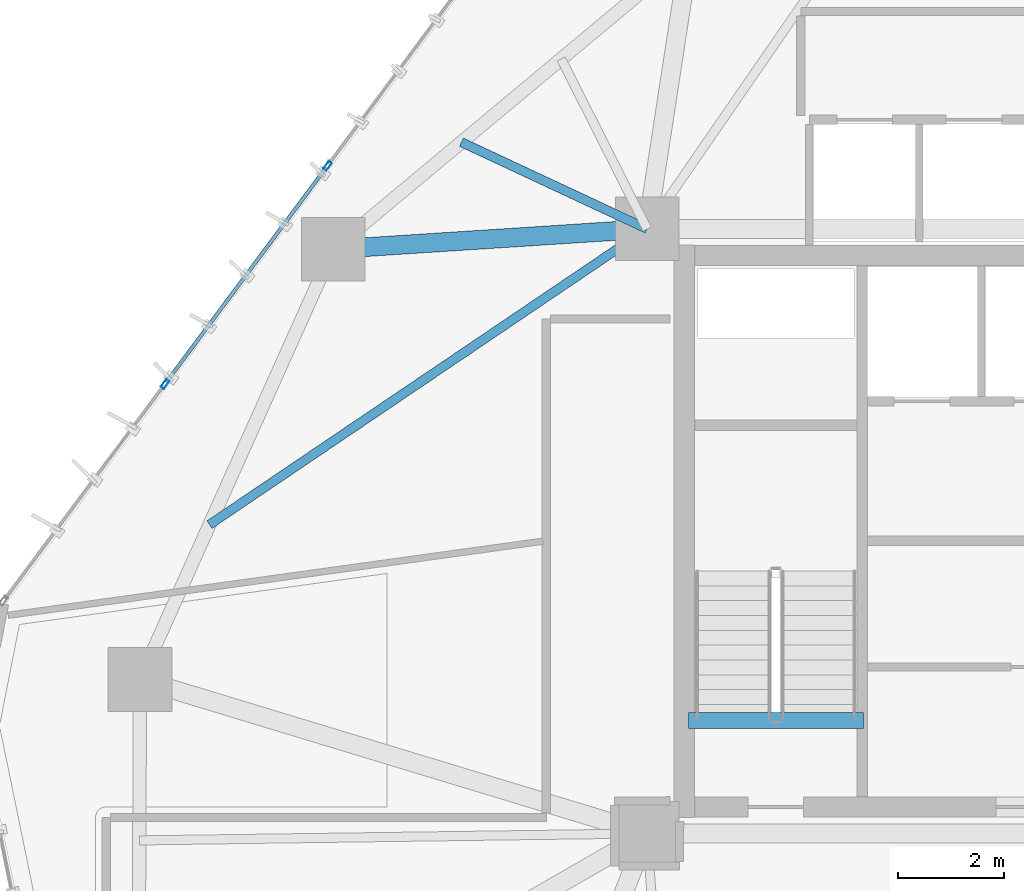
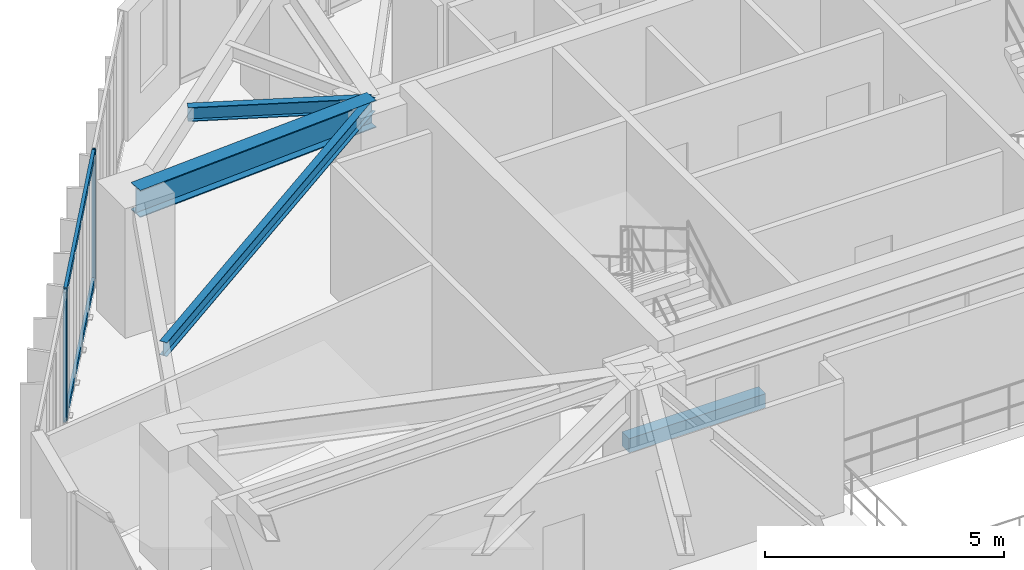
# One storey, part 9 of 23: 4 beams, 4 members, 1 element without a shape of its own.
"""IFC4 building model written with IfcOpenShell, lengths in metres."""

from ifc_helpers import new_model, si_unit, direction, frame, origin, origin_2d, place, context, subcontext, project, spatial, rectangle, hollow_rectangle, i_section, extrude, source, transform, mapped, material, layer, layer_set, material_profile, profile_set, type_object, type_shapes, element, aggregate, save


model = new_model("IFC4")

# Units and contexts
model_context = context("Model", 3, precision=1e-05, world=origin(), true_north=direction((0.0, 1.0)))
body_context = subcontext(model_context, "Body", "Model", "MODEL_VIEW")
ifc_project = project(units=[si_unit("LENGTHUNIT", "METRE"), si_unit("AREAUNIT", "SQUARE_METRE"), si_unit("VOLUMEUNIT", "CUBIC_METRE"), si_unit("PLANEANGLEUNIT", "RADIAN"), si_unit("MASSUNIT", "GRAM", prefix="KILO")], contexts=[model_context])

# Site, building, storey
site_placement = place(None, origin())
site = spatial("IfcSite", under=ifc_project, at=site_placement, CompositionType="ELEMENT")
building_placement = place(site_placement, origin())
building = spatial("IfcBuilding", under=site, at=building_placement, Name="Talar Marvaseh", CompositionType="ELEMENT")
storey_placement = place(building_placement, frame((0.0, 0.0, 118.199951171875)))
storey = spatial("IfcBuildingStorey", under=building, at=storey_placement, Name="L30", CompositionType="ELEMENT", Elevation=118.199951171875)

# Beams
ifc_material_1 = material(Name="Concrete C40/50", Category="concrete")
ifc_material_profile_1 = material_profile(ifc_material_1, rectangle(XDim=0.300048828125, YDim=0.360107421875, at=origin_2d()), Name="RC300x360")
ifc_profile_set_1 = profile_set([ifc_material_profile_1], Name="Concrete C40/50")
beam_type_1 = type_object("IfcBeamType", Name="Concrete Stair Landing Trimmer Beam RC300x360", PredefinedType="SPANDREL", material=ifc_profile_set_1)
beam_1_placement = place(storey_placement, frame((22.780029296875, 27.6298828125, -0.179931640625), z_axis=(-1.0, 0.0, 0.0), x_axis=(0.0, -1.0, 0.0)))
element("IfcBeam", 1, at=beam_1_placement, inside=storey, type_object=beam_type_1, Name="L30 ST-1 Stair Nosing Trimmer Beam", PredefinedType="SPANDREL", context=body_context, shape_type="SweptSolid", body=[
    extrude(rectangle(XDim=0.300048828125, YDim=0.360107421875, at=origin_2d()), origin(), (0.0, 0.0, 1.0), 3.300048828125),
])
ifc_material_2 = material(Name="Steel S355", Category="steel")
ifc_material_profile_2 = material_profile(ifc_material_2, i_section(OverallWidth=0.35498046875, OverallDepth=0.695068359375, WebThickness=0.015380859375, FlangeThickness=0.02490234375, at=origin_2d()), Name="W690x217")
ifc_profile_set_2 = profile_set([ifc_material_profile_2], Name="Steel S355")
beam_type_2 = type_object("IfcBeamType", Name="Zone 2 Radial Floor Girder W690x217", PredefinedType="BEAM", material=ifc_profile_set_2)
beam_2_placement = place(storey_placement, frame((12.780029296875, 36.51708984375, 2.962646484375), z_axis=(0.997915745008, 0.064530348407, 0.0), x_axis=(-0.064530348407, 0.997915745008, 0.0)))
element("IfcBeam", 2, at=beam_2_placement, inside=storey, type_object=beam_type_2, Name="L30 Zone 2 Radial Floor Girder W690x217", PredefinedType="BEAM", context=body_context, shape_type="SweptSolid", body=[
    extrude(i_section(OverallWidth=0.35498046875, OverallDepth=0.695068359375, WebThickness=0.015380859375, FlangeThickness=0.02490234375, at=origin_2d()), origin(), (0.0, 0.0, 1.0), 5.932373046875),
])
ifc_material_profile_3 = material_profile(ifc_material_2, i_section(OverallWidth=0.172119140625, OverallDepth=0.35791015625, WebThickness=0.0078125, FlangeThickness=0.01318359375, at=origin_2d()), Name="W360x57")
ifc_profile_set_3 = profile_set([ifc_material_profile_3], Name="Steel S355")
beam_type_3 = type_object("IfcBeamType", Name="Zone 2 Secondary Floor Joist W360x57", PredefinedType="JOIST", material=ifc_profile_set_3)
beam_3_placement = place(storey_placement, frame((10.44921875, 31.323486328125, 3.131103515625), z_axis=(0.828514577653, 0.55996749425, 0.0), x_axis=(-0.55996749425, 0.828514577653, 0.0)))
element("IfcBeam", 3, at=beam_3_placement, inside=storey, type_object=beam_type_3, Name="L30 Zone 2 Secondary Floor Joist W360x57", PredefinedType="JOIST", context=body_context, shape_type="SweptSolid", body=[
    extrude(i_section(OverallWidth=0.172119140625, OverallDepth=0.35791015625, WebThickness=0.0078125, FlangeThickness=0.01318359375, at=origin_2d()), origin(), (0.0, 0.0, 1.0), 9.95849609375),
])
beam_4_placement = place(storey_placement, frame((15.19970703125, 38.53515625, 3.131103515625), z_axis=(0.906003856895, -0.423269431086, 0.0), x_axis=(0.423269431086, 0.906003856895, 0.0)))
element("IfcBeam", 4, at=beam_4_placement, inside=storey, type_object=beam_type_3, Name="L30 Zone 2 Secondary Floor Joist W360x57", PredefinedType="JOIST", context=body_context, shape_type="SweptSolid", body=[
    extrude(i_section(OverallWidth=0.172119140625, OverallDepth=0.35791015625, WebThickness=0.0078125, FlangeThickness=0.01318359375, at=origin_2d()), origin(), (0.0, 0.0, 1.0), 3.86328125),
])

# Curtain wall, members
ifc_material_3 = material(Name="Architectural Aluminium", Category="aluminium")
ifc_layer = layer(ifc_material_3, 0.199951171875)
ifc_layer_set = layer_set([ifc_layer], Name="Architectural Aluminium")
curtain_wall_type = type_object("IfcCurtainWallType", Name="Unitised Acoustic Library Curtain Wall Z2", PredefinedType="NOTDEFINED", material=ifc_layer_set)
curtain_wall_placement = place(storey_placement, origin())
curtain_wall = element("IfcCurtainWall", 5, at=curtain_wall_placement, inside=storey, type_object=curtain_wall_type, Name="L30 Unitised Acoustic Library Curtain Wall Z2", PredefinedType="NOTDEFINED")
ifc_material_profile_4 = material_profile(ifc_material_3, hollow_rectangle(XDim=0.074951171875, YDim=0.179931640625, WallThickness=0.0048828125, at=origin_2d()), Name="RHS180x75x5")
ifc_profile_set_4 = profile_set([ifc_material_profile_4], Name="Architectural Aluminium")
member_type_1 = type_object("IfcMemberType", Name="Unitised Curtain Wall Standard Mullion RHS180x75x5", PredefinedType="MULLION", material=ifc_profile_set_4)
shared_shape_1 = source(origin(), body_context, "Body", "SweptSolid", [
    extrude(hollow_rectangle(XDim=0.074951171875, YDim=0.179931640625, WallThickness=0.0048828125, at=origin_2d()), origin(), (0.0, 0.0, 1.0), 3.31005859375),
])
type_shapes(member_type_1, [shared_shape_1])
member_1_placement = place(storey_placement, frame((9.609619140625, 33.974609375, 0.0), z_axis=(0.0, 0.0, 1.0), x_axis=(-0.801961380596, 0.597375881697, 0.0)))
member_1 = element("IfcMember", 6, at=member_1_placement, type_object=member_type_1, Name="CW-Z2 mullion 2", PredefinedType="MULLION", context=body_context, shape_type="MappedRepresentation", body=[
    mapped(shared_shape_1, transform((0.0, 0.0, 0.0), x_axis=(1.0, 0.0, 0.0), y_axis=(0.0, 1.0, 0.0), z_axis=(0.0, 0.0, 1.0), scale=1.0)),
])
member_2_placement = place(storey_placement, frame((12.67431640625, 38.088623046875, 0.0), z_axis=(0.0, 0.0, 1.0), x_axis=(-0.801961380596, 0.597375881697, 0.0)))
member_2 = element("IfcMember", 7, at=member_2_placement, type_object=member_type_1, Name="CW-Z2 mullion 3", PredefinedType="MULLION", context=body_context, shape_type="MappedRepresentation", body=[
    mapped(shared_shape_1, transform((0.0, 0.0, 0.0), x_axis=(1.0, 0.0, 0.0), y_axis=(0.0, 1.0, 0.0), z_axis=(0.0, 0.0, 1.0), scale=1.0)),
])
ifc_material_profile_5 = material_profile(ifc_material_3, hollow_rectangle(XDim=0.074951171875, YDim=0.179931640625, WallThickness=0.0048828125, at=origin_2d()), Name="RHS180x75x5")
ifc_profile_set_5 = profile_set([ifc_material_profile_5], Name="Architectural Aluminium")
member_type_2 = type_object("IfcMemberType", Name="Unitised Curtain Wall Transom RHS180x75x5", PredefinedType="USERDEFINED", material=ifc_profile_set_5)
shared_shape_2 = source(origin(), body_context, "Body", "SweptSolid", [
    extrude(hollow_rectangle(XDim=0.074951171875, YDim=0.179931640625, WallThickness=0.0048828125, at=origin_2d()), origin(), (0.0, 0.0, 1.0), 5.05517578125),
])
type_shapes(member_type_2, [shared_shape_2])
member_3_placement = place(storey_placement, frame((9.632080078125, 34.004638671875, 0.03759765625), z_axis=(0.59737719087, 0.8019604054, 0.0), x_axis=(-0.8019604054, 0.59737719087, 0.0)))
member_3 = element("IfcMember", 8, at=member_3_placement, type_object=member_type_2, Name="CW-Z2 transom 2.1", ObjectType="TRANSOM", PredefinedType="USERDEFINED", context=body_context, shape_type="MappedRepresentation", body=[
    mapped(shared_shape_2, transform((0.0, 0.0, 0.0), x_axis=(1.0, 0.0, 0.0), y_axis=(0.0, 1.0, 0.0), z_axis=(0.0, 0.0, 1.0), scale=1.0)),
])
member_4_placement = place(storey_placement, frame((9.632080078125, 34.004638671875, 3.2724609375), z_axis=(0.59737719087, 0.8019604054, 0.0), x_axis=(-0.8019604054, 0.59737719087, 0.0)))
member_4 = element("IfcMember", 9, at=member_4_placement, type_object=member_type_2, Name="CW-Z2 transom 2.2", ObjectType="TRANSOM", PredefinedType="USERDEFINED", context=body_context, shape_type="MappedRepresentation", body=[
    mapped(shared_shape_2, transform((0.0, 0.0, 0.0), x_axis=(1.0, 0.0, 0.0), y_axis=(0.0, 1.0, 0.0), z_axis=(0.0, 0.0, 1.0), scale=1.0)),
])
aggregate(curtain_wall, [member_1, member_2, member_3, member_4])

save(model, "model.ifc")
